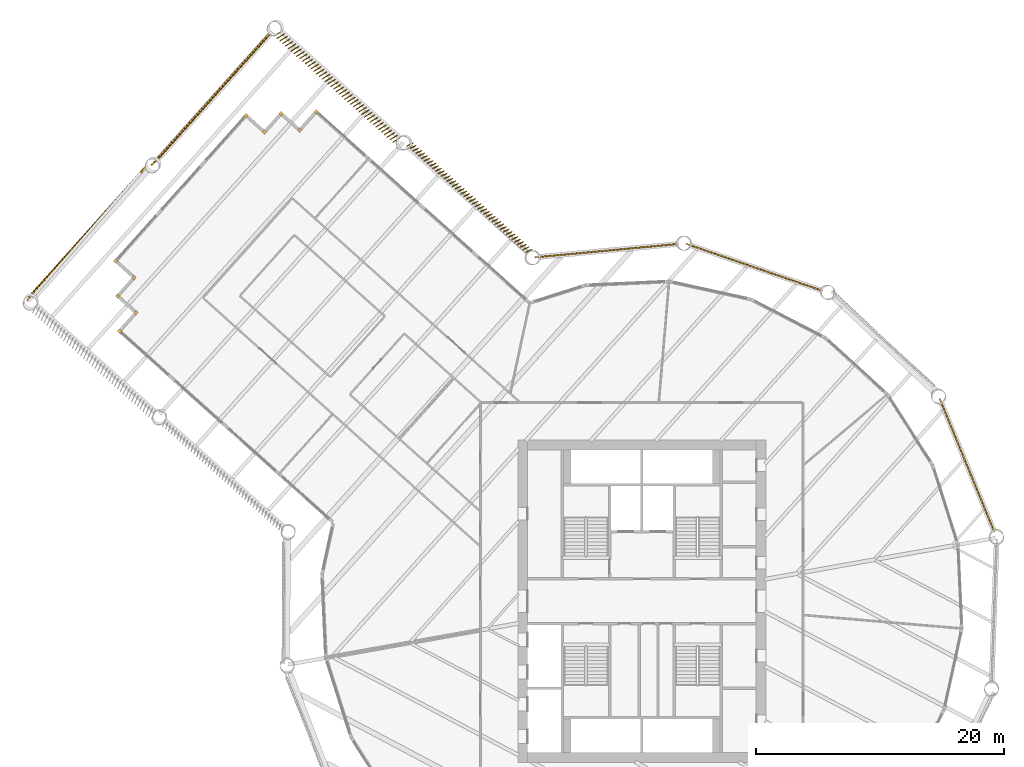
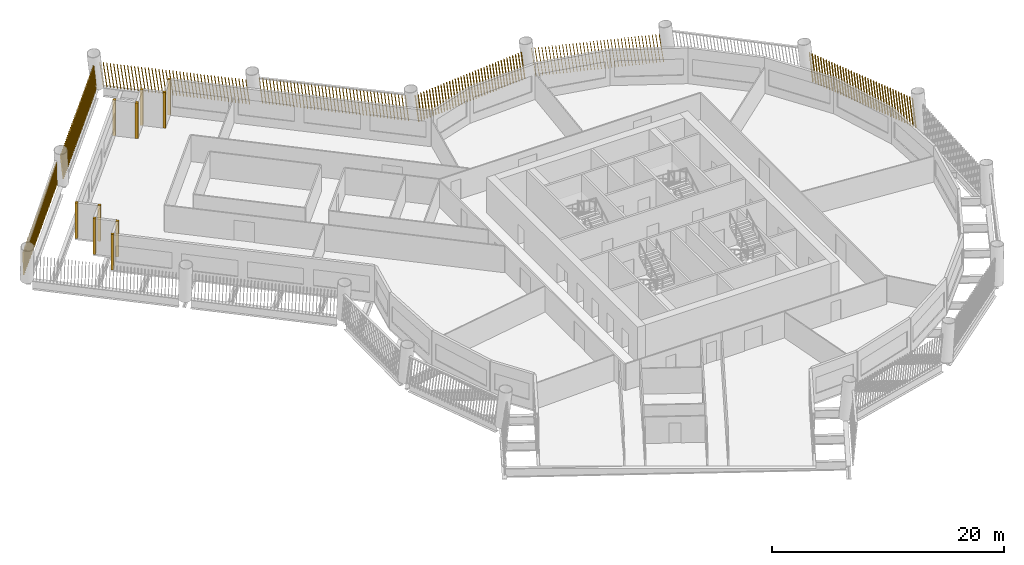
# One storey, part 14 of 16: 17 shading devices.
"""IFC4 building model written with IfcOpenShell, lengths in metres."""

import ifcopenshell
import ifcopenshell.guid

model = None  # the IFC model being written
_history = None  # IfcOwnerHistory: only IFC2X3 demands one
_inside = {}  # id of a spatial element -> (the spatial element, [elements in it])
_under = {}  # id of a project, library or spatial element -> (it, [spatial elements below it])
_declared = {}  # id of a project -> (the project, [libraries it declares])
_typed = {}  # id of a type object -> (the type object, [elements of that type])
_made_of = {}  # id of a material, layer set ... -> (it, [elements and type objects made of it])


def new_model(schema):
    """Start an empty IFC model of exactly this schema.

    Asked for "IFC4X3", IfcOpenShell would pick the latest addendum, in which some entities
    have other attributes; the version numbers below select the first issue.
    IFC2X3 requires an IfcOwnerHistory on every rooted entity: one is made here for all.
    """
    global model, _history
    if schema == "IFC4X3":
        model = ifcopenshell.file(schema_version=(4, 3, 0, 0))
    else:
        model = ifcopenshell.file(schema=schema)
    _inside.clear()
    _under.clear()
    _declared.clear()
    _typed.clear()
    _made_of.clear()
    _history = None
    if model.schema == "IFC2X3":
        org = make("IfcOrganization", Name="unknown")
        user = make(
            "IfcPersonAndOrganization",
            ThePerson=make("IfcPerson", FamilyName="unknown"),
            TheOrganization=org,
        )
        app = make(
            "IfcApplication",
            ApplicationDeveloper=org,
            Version="unknown",
            ApplicationFullName="unknown",
            ApplicationIdentifier="unknown",
        )
        _history = make(
            "IfcOwnerHistory",
            OwningUser=user,
            OwningApplication=app,
            ChangeAction="ADDED",
            CreationDate=0,
        )
    return model


def make(cls, **values):
    """One entity of the class cls with the attributes given. An attribute that is None is left unset."""
    return model.create_entity(
        cls, **{name: value for name, value in values.items() if value is not None}
    )


def rooted(cls, **values):
    """An entity with a GlobalId (a new one), such as an element, a storey or a relation."""
    return make(cls, GlobalId=ifcopenshell.guid.new(), OwnerHistory=_history, **values)


def si_unit(unit_type, name, prefix=None):
    """IfcSIUnit, for example si_unit("LENGTHUNIT", "METRE", prefix="MILLI")."""
    return make("IfcSIUnit", UnitType=unit_type, Prefix=prefix, Name=name)


def assignment(units):
    """IfcUnitAssignment: the units of a project."""
    return None if units is None else make("IfcUnitAssignment", Units=units)


def point(xyz):
    """IfcCartesianPoint."""
    return None if xyz is None else make("IfcCartesianPoint", Coordinates=xyz)


def direction(xyz):
    """IfcDirection."""
    return None if xyz is None else make("IfcDirection", DirectionRatios=xyz)


def frame(location, z_axis=None, x_axis=None):
    """IfcAxis2Placement3D, a coordinate frame: its origin and axes. An axis left out is left unset."""
    return make(
        "IfcAxis2Placement3D",
        Location=point(location),
        Axis=direction(z_axis),
        RefDirection=direction(x_axis),
    )


def frame_2d(location, x_axis=None):
    """IfcAxis2Placement2D, a coordinate frame in the plane: its origin and x axis."""
    return make(
        "IfcAxis2Placement2D", Location=point(location), RefDirection=direction(x_axis)
    )


def origin():
    """The frame at (0, 0, 0) with its axes left unset."""
    return frame((0.0, 0.0, 0.0))


def origin_2d():
    """The frame at (0, 0) in the plane with its x axis left unset."""
    return frame_2d((0.0, 0.0))


def place(relative_to, where):
    """IfcLocalPlacement: puts the frame where relative to a parent placement (None: the world)."""
    return make(
        "IfcLocalPlacement", PlacementRelTo=relative_to, RelativePlacement=where
    )


def context(
    kind, dimensions, precision=None, world=None, true_north=None, identifier=None
):
    """IfcGeometricRepresentationContext, for example the 3D "Model" context."""
    return make(
        "IfcGeometricRepresentationContext",
        ContextIdentifier=identifier,
        ContextType=kind,
        CoordinateSpaceDimension=dimensions,
        Precision=precision,
        WorldCoordinateSystem=world,
        TrueNorth=true_north,
    )


def subcontext(parent, identifier, kind, view, scale=None):
    """IfcGeometricRepresentationSubContext, for example "Body" below "Model"."""
    return make(
        "IfcGeometricRepresentationSubContext",
        ContextIdentifier=identifier,
        ContextType=kind,
        ParentContext=parent,
        TargetScale=scale,
        TargetView=view,
    )


def project(units=None, contexts=None):
    """IfcProject with its units and contexts."""
    return rooted(
        "IfcProject",
        Name="project",
        RepresentationContexts=contexts,
        UnitsInContext=assignment(units),
    )


def spatial(cls, under=None, at=None, **own):
    """A site, building, storey or space (cls), placed at a placement, below another one or the project."""
    s = rooted(cls, ObjectPlacement=at, **own)
    if under is not None:
        _under.setdefault(under.id(), (under, []))[1].append(s)
    return s


def profile(cls, at=None, kind="AREA", **sizes):
    """A parametric profile (cls). Its sizes go by their IFC names, for example OverallWidth=200.0."""
    return make(cls, ProfileType=kind, Position=at, **sizes)


def rectangle(**sizes):
    """IfcRectangleProfileDef."""
    return profile("IfcRectangleProfileDef", **sizes)


def composite_profile(profiles, kind="AREA"):
    """IfcCompositeProfileDef: several profiles as one."""
    return make("IfcCompositeProfileDef", ProfileType=kind, Profiles=profiles)


def extrude(swept, where, along, depth):
    """IfcExtrudedAreaSolid: the profile swept, set in the frame where, extruded along a direction by depth."""
    return make(
        "IfcExtrudedAreaSolid",
        SweptArea=swept,
        Position=where,
        ExtrudedDirection=direction(along),
        Depth=depth,
    )


def shape(context_of_items, identifier, shape_type, items):
    """IfcShapeRepresentation: the items that make up one representation, for example the "Body"."""
    return make(
        "IfcShapeRepresentation",
        ContextOfItems=context_of_items,
        RepresentationIdentifier=identifier,
        RepresentationType=shape_type,
        Items=items,
    )


def material(Name=None, Category=None):
    """IfcMaterial."""
    return make("IfcMaterial", Name=Name, Category=Category)


def made_of(thing, what):
    """Note that an element or type object is made of a material, layer set ...; save() writes the relation."""
    if what is not None:
        _made_of.setdefault(what.id(), (what, []))[1].append(thing)
    return thing


def type_object(cls, material=None, **own):
    """A type object (cls), such as IfcWallType, which elements share."""
    return made_of(rooted(cls, **own), material)


def element(
    cls,
    number,
    at=None,
    inside=None,
    cuts=None,
    type_object=None,
    material=None,
    context=None,
    identifier="Body",
    shape_type=None,
    held_by="IfcProductDefinitionShape",
    body=None,
    shapes=None,
    **own,
):
    """One element of the class cls, such as IfcWall. Its Tag is "e" and its number.

    at: its placement. inside: the storey or other place that contains it. cuts: it is an
    opening in that element (IfcRelVoidsElement). A single representation is given by context,
    identifier, shape_type and body (its items); several are given by shapes. held_by: the class
    of the entity that holds the representations. save() writes the other relations.
    """
    e = rooted(cls, Tag="e%d" % number, ObjectPlacement=at, **own)
    if body is not None:
        shapes = [shape(context, identifier, shape_type, body)]
    if shapes is not None:
        e.Representation = make(held_by, Representations=shapes)
    if inside is not None:
        _inside.setdefault(inside.id(), (inside, []))[1].append(e)
    if cuts is not None:
        rooted(
            "IfcRelVoidsElement", RelatingBuildingElement=cuts, RelatedOpeningElement=e
        )
    if type_object is not None:
        _typed.setdefault(type_object.id(), (type_object, []))[1].append(e)
    return made_of(e, material)


def aggregate(whole, parts):
    """IfcRelAggregates: a whole, such as a stair, and the parts it consists of."""
    return rooted("IfcRelAggregates", RelatingObject=whole, RelatedObjects=parts)


def save(model, path):
    """Write the relations noted so far, then the file.

    IfcRelAggregates (storeys below a building ...), IfcRelContainedInSpatialStructure (elements
    in a storey), IfcRelDefinesByType, IfcRelAssociatesMaterial and IfcRelDeclares: one each for
    every whole, place, type object, material and project.
    """
    for whole, parts in _under.values():
        aggregate(whole, parts)
    for where, things in _inside.values():
        rooted(
            "IfcRelContainedInSpatialStructure",
            RelatedElements=things,
            RelatingStructure=where,
        )
    for kind, things in _typed.values():
        rooted("IfcRelDefinesByType", RelatedObjects=things, RelatingType=kind)
    for what, things in _made_of.values():
        rooted("IfcRelAssociatesMaterial", RelatedObjects=things, RelatingMaterial=what)
    for by, libraries in _declared.values():
        rooted("IfcRelDeclares", RelatingContext=by, RelatedDefinitions=libraries)
    model.write(path)


model = new_model("IFC4")

# Units and contexts
model_context = context("Model", 3, precision=1e-05, world=origin(), true_north=direction((0.0, 1.0)))
body_context = subcontext(model_context, "Body", "Model", "MODEL_VIEW")
ifc_project = project(units=[si_unit("LENGTHUNIT", "METRE"), si_unit("AREAUNIT", "SQUARE_METRE"), si_unit("VOLUMEUNIT", "CUBIC_METRE"), si_unit("PLANEANGLEUNIT", "RADIAN"), si_unit("MASSUNIT", "GRAM", prefix="KILO")], contexts=[model_context])

# Site, building, storey
site_placement = place(None, origin())
site = spatial("IfcSite", under=ifc_project, at=site_placement, CompositionType="ELEMENT")
building_placement = place(site_placement, origin())
building = spatial("IfcBuilding", under=site, at=building_placement, Name="Tarsis Ring Headquarters", CompositionType="ELEMENT")
storey_placement = place(building_placement, frame((0.0, 0.0, 96.699951171875)))
storey = spatial("IfcBuildingStorey", under=building, at=storey_placement, Name="L21", CompositionType="ELEMENT", Elevation=96.699951171875)

# Shading devices
ifc_material = material(Name="Terracotta baguette", Category="masonry")
shading_device_type_1 = type_object("IfcShadingDeviceType", Name="Terracotta baguette screen", PredefinedType="USERDEFINED", material=ifc_material)
shading_device_1_placement = place(storey_placement, frame((28.405029296875, 5.57666015625, 0.0), z_axis=(0.0, 0.0, 1.0), x_axis=(-0.379641888226, 0.925143787303, 0.0)))
element("IfcShadingDevice", 1, at=shading_device_1_placement, inside=storey, type_object=shading_device_type_1, Name="Baguette screen L21-11", ObjectType="Terracotta baguette screen", PredefinedType="USERDEFINED", context=body_context, shape_type="SweptSolid", body=[
    extrude(composite_profile([rectangle(XDim=0.06005859375, YDim=0.1201171875, at=frame_2d((0.030029296875, 0.0))), rectangle(XDim=0.06005859375, YDim=0.1201171875, at=frame_2d((0.33251953125, 0.0))), rectangle(XDim=0.06005859375, YDim=0.1201171875, at=frame_2d((0.634765625, 0.0))), rectangle(XDim=0.06005859375, YDim=0.1201171875, at=frame_2d((0.937255859375, 0.0))), rectangle(XDim=0.06005859375, YDim=0.1201171875, at=frame_2d((1.239501953125, 0.0))), rectangle(XDim=0.06005859375, YDim=0.1201171875, at=frame_2d((1.5419921875, 0.0))), rectangle(XDim=0.06005859375, YDim=0.1201171875, at=frame_2d((1.844482421875, 0.0))), rectangle(XDim=0.06005859375, YDim=0.1201171875, at=frame_2d((2.146728515625, 0.0))), rectangle(XDim=0.06005859375, YDim=0.1201171875, at=frame_2d((2.44921875, 0.0))), rectangle(XDim=0.06005859375, YDim=0.1201171875, at=frame_2d((2.751708984375, 0.0))), rectangle(XDim=0.06005859375, YDim=0.1201171875, at=frame_2d((3.053955078125, 0.0))), rectangle(XDim=0.06005859375, YDim=0.1201171875, at=frame_2d((3.3564453125, 0.0))), rectangle(XDim=0.06005859375, YDim=0.1201171875, at=frame_2d((3.65869140625, 0.0))), rectangle(XDim=0.06005859375, YDim=0.1201171875, at=frame_2d((3.961181640625, 0.0))), rectangle(XDim=0.06005859375, YDim=0.1201171875, at=frame_2d((4.263671875, 0.0))), rectangle(XDim=0.06005859375, YDim=0.1201171875, at=frame_2d((4.56591796875, 0.0))), rectangle(XDim=0.06005859375, YDim=0.1201171875, at=frame_2d((4.868408203125, 0.0))), rectangle(XDim=0.06005859375, YDim=0.1201171875, at=frame_2d((5.1708984375, 0.0))), rectangle(XDim=0.06005859375, YDim=0.1201171875, at=frame_2d((5.47314453125, 0.0))), rectangle(XDim=0.06005859375, YDim=0.1201171875, at=frame_2d((5.775634765625, 0.0))), rectangle(XDim=0.06005859375, YDim=0.1201171875, at=frame_2d((6.077880859375, 0.0))), rectangle(XDim=0.06005859375, YDim=0.1201171875, at=frame_2d((6.38037109375, 0.0))), rectangle(XDim=0.06005859375, YDim=0.1201171875, at=frame_2d((6.682861328125, 0.0))), rectangle(XDim=0.06005859375, YDim=0.1201171875, at=frame_2d((6.985107421875, 0.0))), rectangle(XDim=0.06005859375, YDim=0.1201171875, at=frame_2d((7.28759765625, 0.0))), rectangle(XDim=0.06005859375, YDim=0.1201171875, at=frame_2d((7.590087890625, 0.0))), rectangle(XDim=0.06005859375, YDim=0.1201171875, at=frame_2d((7.892333984375, 0.0))), rectangle(XDim=0.06005859375, YDim=0.1201171875, at=frame_2d((8.19482421875, 0.0))), rectangle(XDim=0.06005859375, YDim=0.1201171875, at=frame_2d((8.4970703125, 0.0))), rectangle(XDim=0.06005859375, YDim=0.1201171875, at=frame_2d((8.799560546875, 0.0))), rectangle(XDim=0.06005859375, YDim=0.1201171875, at=frame_2d((9.10205078125, 0.0))), rectangle(XDim=0.06005859375, YDim=0.1201171875, at=frame_2d((9.404296875, 0.0))), rectangle(XDim=0.06005859375, YDim=0.1201171875, at=frame_2d((9.706787109375, 0.0))), rectangle(XDim=0.06005859375, YDim=0.1201171875, at=frame_2d((10.00927734375, 0.0))), rectangle(XDim=0.06005859375, YDim=0.1201171875, at=frame_2d((10.3115234375, 0.0))), rectangle(XDim=0.06005859375, YDim=0.1201171875, at=frame_2d((10.614013671875, 0.0))), rectangle(XDim=0.06005859375, YDim=0.1201171875, at=frame_2d((10.916259765625, 0.0))), rectangle(XDim=0.06005859375, YDim=0.1201171875, at=frame_2d((11.21875, 0.0)))]), origin(), (0.129811034095, 0.000883540977, 0.991538357696), 2.977783203125),
])
shading_device_2_placement = place(storey_placement, frame((14.564208984375, 25.016357421875, 0.0), z_axis=(0.0, 0.0, 1.0), x_axis=(-0.945501899078, 0.325642973413, 0.0)))
element("IfcShadingDevice", 2, at=shading_device_2_placement, inside=storey, type_object=shading_device_type_1, Name="Baguette screen L21-13", ObjectType="Terracotta baguette screen", PredefinedType="USERDEFINED", context=body_context, shape_type="SweptSolid", body=[
    extrude(composite_profile([rectangle(XDim=0.06005859375, YDim=0.1201171875, at=frame_2d((0.030029296875, 0.0))), rectangle(XDim=0.06005859375, YDim=0.1201171875, at=frame_2d((0.33251953125, 0.0))), rectangle(XDim=0.06005859375, YDim=0.1201171875, at=frame_2d((0.634765625, 0.0))), rectangle(XDim=0.06005859375, YDim=0.1201171875, at=frame_2d((0.937255859375, 0.0))), rectangle(XDim=0.06005859375, YDim=0.1201171875, at=frame_2d((1.239501953125, 0.0))), rectangle(XDim=0.06005859375, YDim=0.1201171875, at=frame_2d((1.5419921875, 0.0))), rectangle(XDim=0.06005859375, YDim=0.1201171875, at=frame_2d((1.844482421875, 0.0))), rectangle(XDim=0.06005859375, YDim=0.1201171875, at=frame_2d((2.146728515625, 0.0))), rectangle(XDim=0.06005859375, YDim=0.1201171875, at=frame_2d((2.44921875, 0.0))), rectangle(XDim=0.06005859375, YDim=0.1201171875, at=frame_2d((2.751708984375, 0.0))), rectangle(XDim=0.06005859375, YDim=0.1201171875, at=frame_2d((3.053955078125, 0.0))), rectangle(XDim=0.06005859375, YDim=0.1201171875, at=frame_2d((3.3564453125, 0.0))), rectangle(XDim=0.06005859375, YDim=0.1201171875, at=frame_2d((3.65869140625, 0.0))), rectangle(XDim=0.06005859375, YDim=0.1201171875, at=frame_2d((3.961181640625, 0.0))), rectangle(XDim=0.06005859375, YDim=0.1201171875, at=frame_2d((4.263671875, 0.0))), rectangle(XDim=0.06005859375, YDim=0.1201171875, at=frame_2d((4.56591796875, 0.0))), rectangle(XDim=0.06005859375, YDim=0.1201171875, at=frame_2d((4.868408203125, 0.0))), rectangle(XDim=0.06005859375, YDim=0.1201171875, at=frame_2d((5.1708984375, 0.0))), rectangle(XDim=0.06005859375, YDim=0.1201171875, at=frame_2d((5.47314453125, 0.0))), rectangle(XDim=0.06005859375, YDim=0.1201171875, at=frame_2d((5.775634765625, 0.0))), rectangle(XDim=0.06005859375, YDim=0.1201171875, at=frame_2d((6.077880859375, 0.0))), rectangle(XDim=0.06005859375, YDim=0.1201171875, at=frame_2d((6.38037109375, 0.0))), rectangle(XDim=0.06005859375, YDim=0.1201171875, at=frame_2d((6.682861328125, 0.0))), rectangle(XDim=0.06005859375, YDim=0.1201171875, at=frame_2d((6.985107421875, 0.0))), rectangle(XDim=0.06005859375, YDim=0.1201171875, at=frame_2d((7.28759765625, 0.0))), rectangle(XDim=0.06005859375, YDim=0.1201171875, at=frame_2d((7.590087890625, 0.0))), rectangle(XDim=0.06005859375, YDim=0.1201171875, at=frame_2d((7.892333984375, 0.0))), rectangle(XDim=0.06005859375, YDim=0.1201171875, at=frame_2d((8.19482421875, 0.0))), rectangle(XDim=0.06005859375, YDim=0.1201171875, at=frame_2d((8.4970703125, 0.0))), rectangle(XDim=0.06005859375, YDim=0.1201171875, at=frame_2d((8.799560546875, 0.0))), rectangle(XDim=0.06005859375, YDim=0.1201171875, at=frame_2d((9.10205078125, 0.0))), rectangle(XDim=0.06005859375, YDim=0.1201171875, at=frame_2d((9.404296875, 0.0))), rectangle(XDim=0.06005859375, YDim=0.1201171875, at=frame_2d((9.706787109375, 0.0))), rectangle(XDim=0.06005859375, YDim=0.1201171875, at=frame_2d((10.00927734375, 0.0))), rectangle(XDim=0.06005859375, YDim=0.1201171875, at=frame_2d((10.3115234375, 0.0))), rectangle(XDim=0.06005859375, YDim=0.1201171875, at=frame_2d((10.614013671875, 0.0))), rectangle(XDim=0.06005859375, YDim=0.1201171875, at=frame_2d((10.916259765625, 0.0))), rectangle(XDim=0.06005859375, YDim=0.1201171875, at=frame_2d((11.21875, 0.0)))]), origin(), (0.129810983559, 0.000885079774, 0.99153836294), 2.977783203125),
])
shading_device_3_placement = place(storey_placement, frame((2.9580078125, 28.795654296875, 0.0), z_axis=(0.0, 0.0, 1.0), x_axis=(-0.995659251221, -0.093043950081, 0.0)))
element("IfcShadingDevice", 3, at=shading_device_3_placement, inside=storey, type_object=shading_device_type_1, Name="Baguette screen L21-14", ObjectType="Terracotta baguette screen", PredefinedType="USERDEFINED", context=body_context, shape_type="SweptSolid", body=[
    extrude(composite_profile([rectangle(XDim=0.06005859375, YDim=0.1201171875, at=frame_2d((0.030029296875, 0.0))), rectangle(XDim=0.06005859375, YDim=0.1201171875, at=frame_2d((0.33251953125, 0.0))), rectangle(XDim=0.06005859375, YDim=0.1201171875, at=frame_2d((0.634765625, 0.0))), rectangle(XDim=0.06005859375, YDim=0.1201171875, at=frame_2d((0.937255859375, 0.0))), rectangle(XDim=0.06005859375, YDim=0.1201171875, at=frame_2d((1.239501953125, 0.0))), rectangle(XDim=0.06005859375, YDim=0.1201171875, at=frame_2d((1.5419921875, 0.0))), rectangle(XDim=0.06005859375, YDim=0.1201171875, at=frame_2d((1.844482421875, 0.0))), rectangle(XDim=0.06005859375, YDim=0.1201171875, at=frame_2d((2.146728515625, 0.0))), rectangle(XDim=0.06005859375, YDim=0.1201171875, at=frame_2d((2.44921875, 0.0))), rectangle(XDim=0.06005859375, YDim=0.1201171875, at=frame_2d((2.751708984375, 0.0))), rectangle(XDim=0.06005859375, YDim=0.1201171875, at=frame_2d((3.053955078125, 0.0))), rectangle(XDim=0.06005859375, YDim=0.1201171875, at=frame_2d((3.3564453125, 0.0))), rectangle(XDim=0.06005859375, YDim=0.1201171875, at=frame_2d((3.65869140625, 0.0))), rectangle(XDim=0.06005859375, YDim=0.1201171875, at=frame_2d((3.961181640625, 0.0))), rectangle(XDim=0.06005859375, YDim=0.1201171875, at=frame_2d((4.263671875, 0.0))), rectangle(XDim=0.06005859375, YDim=0.1201171875, at=frame_2d((4.56591796875, 0.0))), rectangle(XDim=0.06005859375, YDim=0.1201171875, at=frame_2d((4.868408203125, 0.0))), rectangle(XDim=0.06005859375, YDim=0.1201171875, at=frame_2d((5.1708984375, 0.0))), rectangle(XDim=0.06005859375, YDim=0.1201171875, at=frame_2d((5.47314453125, 0.0))), rectangle(XDim=0.06005859375, YDim=0.1201171875, at=frame_2d((5.775634765625, 0.0))), rectangle(XDim=0.06005859375, YDim=0.1201171875, at=frame_2d((6.077880859375, 0.0))), rectangle(XDim=0.06005859375, YDim=0.1201171875, at=frame_2d((6.38037109375, 0.0))), rectangle(XDim=0.06005859375, YDim=0.1201171875, at=frame_2d((6.682861328125, 0.0))), rectangle(XDim=0.06005859375, YDim=0.1201171875, at=frame_2d((6.985107421875, 0.0))), rectangle(XDim=0.06005859375, YDim=0.1201171875, at=frame_2d((7.28759765625, 0.0))), rectangle(XDim=0.06005859375, YDim=0.1201171875, at=frame_2d((7.590087890625, 0.0))), rectangle(XDim=0.06005859375, YDim=0.1201171875, at=frame_2d((7.892333984375, 0.0))), rectangle(XDim=0.06005859375, YDim=0.1201171875, at=frame_2d((8.19482421875, 0.0))), rectangle(XDim=0.06005859375, YDim=0.1201171875, at=frame_2d((8.4970703125, 0.0))), rectangle(XDim=0.06005859375, YDim=0.1201171875, at=frame_2d((8.799560546875, 0.0))), rectangle(XDim=0.06005859375, YDim=0.1201171875, at=frame_2d((9.10205078125, 0.0))), rectangle(XDim=0.06005859375, YDim=0.1201171875, at=frame_2d((9.404296875, 0.0))), rectangle(XDim=0.06005859375, YDim=0.1201171875, at=frame_2d((9.706787109375, 0.0))), rectangle(XDim=0.06005859375, YDim=0.1201171875, at=frame_2d((10.00927734375, 0.0))), rectangle(XDim=0.06005859375, YDim=0.1201171875, at=frame_2d((10.3115234375, 0.0))), rectangle(XDim=0.06005859375, YDim=0.1201171875, at=frame_2d((10.614013671875, 0.0))), rectangle(XDim=0.06005859375, YDim=0.1201171875, at=frame_2d((10.916259765625, 0.0))), rectangle(XDim=0.06005859375, YDim=0.1201171875, at=frame_2d((11.21875, 0.0)))]), origin(), (0.129809675606, 0.000883501465, 0.991538535582), 2.977783203125),
])
shading_device_4_placement = place(storey_placement, frame((-8.862060546875, 28.3154296875, 0.0), z_axis=(0.0, 0.0, 1.0), x_axis=(-0.744777475023, 0.667310021193, 0.0)))
element("IfcShadingDevice", 4, at=shading_device_4_placement, inside=storey, type_object=shading_device_type_1, Name="Baguette screen L21-15", ObjectType="Terracotta baguette screen", PredefinedType="USERDEFINED", context=body_context, shape_type="SweptSolid", body=[
    extrude(composite_profile([rectangle(XDim=0.06005859375, YDim=0.1201171875, at=frame_2d((0.030029296875, 0.0))), rectangle(XDim=0.06005859375, YDim=0.1201171875, at=frame_2d((0.335693359375, 0.0))), rectangle(XDim=0.06005859375, YDim=0.1201171875, at=frame_2d((0.6416015625, 0.0))), rectangle(XDim=0.06005859375, YDim=0.1201171875, at=frame_2d((0.947265625, 0.0))), rectangle(XDim=0.06005859375, YDim=0.1201171875, at=frame_2d((1.253173828125, 0.0))), rectangle(XDim=0.06005859375, YDim=0.1201171875, at=frame_2d((1.558837890625, 0.0))), rectangle(XDim=0.06005859375, YDim=0.1201171875, at=frame_2d((1.864501953125, 0.0))), rectangle(XDim=0.06005859375, YDim=0.1201171875, at=frame_2d((2.17041015625, 0.0))), rectangle(XDim=0.06005859375, YDim=0.1201171875, at=frame_2d((2.47607421875, 0.0))), rectangle(XDim=0.06005859375, YDim=0.1201171875, at=frame_2d((2.781982421875, 0.0))), rectangle(XDim=0.06005859375, YDim=0.1201171875, at=frame_2d((3.087646484375, 0.0))), rectangle(XDim=0.06005859375, YDim=0.1201171875, at=frame_2d((3.393310546875, 0.0))), rectangle(XDim=0.06005859375, YDim=0.1201171875, at=frame_2d((3.69921875, 0.0))), rectangle(XDim=0.06005859375, YDim=0.1201171875, at=frame_2d((4.0048828125, 0.0))), rectangle(XDim=0.06005859375, YDim=0.1201171875, at=frame_2d((4.310791015625, 0.0))), rectangle(XDim=0.06005859375, YDim=0.1201171875, at=frame_2d((4.616455078125, 0.0))), rectangle(XDim=0.06005859375, YDim=0.1201171875, at=frame_2d((4.922119140625, 0.0))), rectangle(XDim=0.06005859375, YDim=0.1201171875, at=frame_2d((5.22802734375, 0.0))), rectangle(XDim=0.06005859375, YDim=0.1201171875, at=frame_2d((5.53369140625, 0.0))), rectangle(XDim=0.06005859375, YDim=0.1201171875, at=frame_2d((5.839599609375, 0.0))), rectangle(XDim=0.06005859375, YDim=0.1201171875, at=frame_2d((6.145263671875, 0.0))), rectangle(XDim=0.06005859375, YDim=0.1201171875, at=frame_2d((6.451171875, 0.0))), rectangle(XDim=0.06005859375, YDim=0.1201171875, at=frame_2d((6.7568359375, 0.0))), rectangle(XDim=0.06005859375, YDim=0.1201171875, at=frame_2d((7.0625, 0.0))), rectangle(XDim=0.06005859375, YDim=0.1201171875, at=frame_2d((7.368408203125, 0.0))), rectangle(XDim=0.06005859375, YDim=0.1201171875, at=frame_2d((7.674072265625, 0.0))), rectangle(XDim=0.06005859375, YDim=0.1201171875, at=frame_2d((7.97998046875, 0.0))), rectangle(XDim=0.06005859375, YDim=0.1201171875, at=frame_2d((8.28564453125, 0.0))), rectangle(XDim=0.06005859375, YDim=0.1201171875, at=frame_2d((8.59130859375, 0.0))), rectangle(XDim=0.06005859375, YDim=0.1201171875, at=frame_2d((8.897216796875, 0.0))), rectangle(XDim=0.06005859375, YDim=0.1201171875, at=frame_2d((9.202880859375, 0.0))), rectangle(XDim=0.06005859375, YDim=0.1201171875, at=frame_2d((9.5087890625, 0.0))), rectangle(XDim=0.06005859375, YDim=0.1201171875, at=frame_2d((9.814453125, 0.0))), rectangle(XDim=0.06005859375, YDim=0.1201171875, at=frame_2d((10.1201171875, 0.0))), rectangle(XDim=0.06005859375, YDim=0.1201171875, at=frame_2d((10.426025390625, 0.0))), rectangle(XDim=0.06005859375, YDim=0.1201171875, at=frame_2d((10.731689453125, 0.0))), rectangle(XDim=0.06005859375, YDim=0.1201171875, at=frame_2d((11.03759765625, 0.0))), rectangle(XDim=0.06005859375, YDim=0.1201171875, at=frame_2d((11.34326171875, 0.0))), rectangle(XDim=0.06005859375, YDim=0.1201171875, at=frame_2d((11.64892578125, 0.0))), rectangle(XDim=0.06005859375, YDim=0.1201171875, at=frame_2d((11.954833984375, 0.0))), rectangle(XDim=0.06005859375, YDim=0.1201171875, at=frame_2d((12.260498046875, 0.0))), rectangle(XDim=0.06005859375, YDim=0.1201171875, at=frame_2d((12.56640625, 0.0))), rectangle(XDim=0.06005859375, YDim=0.1201171875, at=frame_2d((12.8720703125, 0.0)))]), origin(), (0.068063052052, 0.145839706209, 0.986964133613), 2.99169921875),
])
shading_device_5_placement = place(storey_placement, frame((-19.46630859375, 37.313232421875, 0.0), z_axis=(0.0, 0.0, 1.0), x_axis=(-0.744777475023, 0.667310021193, 0.0)))
element("IfcShadingDevice", 5, at=shading_device_5_placement, inside=storey, type_object=shading_device_type_1, Name="Baguette screen L21-16", ObjectType="Terracotta baguette screen", PredefinedType="USERDEFINED", context=body_context, shape_type="SweptSolid", body=[
    extrude(composite_profile([rectangle(XDim=0.06005859375, YDim=0.1201171875, at=frame_2d((0.030029296875, 0.0))), rectangle(XDim=0.06005859375, YDim=0.1201171875, at=frame_2d((0.335693359375, 0.0))), rectangle(XDim=0.06005859375, YDim=0.1201171875, at=frame_2d((0.6416015625, 0.0))), rectangle(XDim=0.06005859375, YDim=0.1201171875, at=frame_2d((0.947265625, 0.0))), rectangle(XDim=0.06005859375, YDim=0.1201171875, at=frame_2d((1.253173828125, 0.0))), rectangle(XDim=0.06005859375, YDim=0.1201171875, at=frame_2d((1.558837890625, 0.0))), rectangle(XDim=0.06005859375, YDim=0.1201171875, at=frame_2d((1.864501953125, 0.0))), rectangle(XDim=0.06005859375, YDim=0.1201171875, at=frame_2d((2.17041015625, 0.0))), rectangle(XDim=0.06005859375, YDim=0.1201171875, at=frame_2d((2.47607421875, 0.0))), rectangle(XDim=0.06005859375, YDim=0.1201171875, at=frame_2d((2.781982421875, 0.0))), rectangle(XDim=0.06005859375, YDim=0.1201171875, at=frame_2d((3.087646484375, 0.0))), rectangle(XDim=0.06005859375, YDim=0.1201171875, at=frame_2d((3.393310546875, 0.0))), rectangle(XDim=0.06005859375, YDim=0.1201171875, at=frame_2d((3.69921875, 0.0))), rectangle(XDim=0.06005859375, YDim=0.1201171875, at=frame_2d((4.0048828125, 0.0))), rectangle(XDim=0.06005859375, YDim=0.1201171875, at=frame_2d((4.310791015625, 0.0))), rectangle(XDim=0.06005859375, YDim=0.1201171875, at=frame_2d((4.616455078125, 0.0))), rectangle(XDim=0.06005859375, YDim=0.1201171875, at=frame_2d((4.922119140625, 0.0))), rectangle(XDim=0.06005859375, YDim=0.1201171875, at=frame_2d((5.22802734375, 0.0))), rectangle(XDim=0.06005859375, YDim=0.1201171875, at=frame_2d((5.53369140625, 0.0))), rectangle(XDim=0.06005859375, YDim=0.1201171875, at=frame_2d((5.839599609375, 0.0))), rectangle(XDim=0.06005859375, YDim=0.1201171875, at=frame_2d((6.145263671875, 0.0))), rectangle(XDim=0.06005859375, YDim=0.1201171875, at=frame_2d((6.451171875, 0.0))), rectangle(XDim=0.06005859375, YDim=0.1201171875, at=frame_2d((6.7568359375, 0.0))), rectangle(XDim=0.06005859375, YDim=0.1201171875, at=frame_2d((7.0625, 0.0))), rectangle(XDim=0.06005859375, YDim=0.1201171875, at=frame_2d((7.368408203125, 0.0))), rectangle(XDim=0.06005859375, YDim=0.1201171875, at=frame_2d((7.674072265625, 0.0))), rectangle(XDim=0.06005859375, YDim=0.1201171875, at=frame_2d((7.97998046875, 0.0))), rectangle(XDim=0.06005859375, YDim=0.1201171875, at=frame_2d((8.28564453125, 0.0))), rectangle(XDim=0.06005859375, YDim=0.1201171875, at=frame_2d((8.59130859375, 0.0))), rectangle(XDim=0.06005859375, YDim=0.1201171875, at=frame_2d((8.897216796875, 0.0))), rectangle(XDim=0.06005859375, YDim=0.1201171875, at=frame_2d((9.202880859375, 0.0))), rectangle(XDim=0.06005859375, YDim=0.1201171875, at=frame_2d((9.5087890625, 0.0))), rectangle(XDim=0.06005859375, YDim=0.1201171875, at=frame_2d((9.814453125, 0.0))), rectangle(XDim=0.06005859375, YDim=0.1201171875, at=frame_2d((10.1201171875, 0.0))), rectangle(XDim=0.06005859375, YDim=0.1201171875, at=frame_2d((10.426025390625, 0.0))), rectangle(XDim=0.06005859375, YDim=0.1201171875, at=frame_2d((10.731689453125, 0.0))), rectangle(XDim=0.06005859375, YDim=0.1201171875, at=frame_2d((11.03759765625, 0.0))), rectangle(XDim=0.06005859375, YDim=0.1201171875, at=frame_2d((11.34326171875, 0.0))), rectangle(XDim=0.06005859375, YDim=0.1201171875, at=frame_2d((11.64892578125, 0.0))), rectangle(XDim=0.06005859375, YDim=0.1201171875, at=frame_2d((11.954833984375, 0.0))), rectangle(XDim=0.06005859375, YDim=0.1201171875, at=frame_2d((12.260498046875, 0.0))), rectangle(XDim=0.06005859375, YDim=0.1201171875, at=frame_2d((12.56640625, 0.0))), rectangle(XDim=0.06005859375, YDim=0.1201171875, at=frame_2d((12.8720703125, 0.0)))]), origin(), (0.065207666701, 0.206809749487, 0.976205760954), 3.024658203125),
])
shading_device_6_placement = place(storey_placement, frame((-29.78173828125, 45.884521484375, 0.0), z_axis=(0.0, 0.0, 1.0), x_axis=(-0.667315347192, -0.744785493145, 0.0)))
element("IfcShadingDevice", 6, at=shading_device_6_placement, inside=storey, type_object=shading_device_type_1, Name="Baguette screen L21-17", ObjectType="Terracotta baguette screen", PredefinedType="USERDEFINED", context=body_context, shape_type="SweptSolid", body=[
    extrude(composite_profile([rectangle(XDim=0.06005859375, YDim=0.1201171875, at=frame_2d((0.030029296875, 0.0))), rectangle(XDim=0.06005859375, YDim=0.1201171875, at=frame_2d((0.33544921875, 0.0))), rectangle(XDim=0.06005859375, YDim=0.1201171875, at=frame_2d((0.640625, 0.0))), rectangle(XDim=0.06005859375, YDim=0.1201171875, at=frame_2d((0.946044921875, 0.0))), rectangle(XDim=0.06005859375, YDim=0.1201171875, at=frame_2d((1.25146484375, 0.0))), rectangle(XDim=0.06005859375, YDim=0.1201171875, at=frame_2d((1.556640625, 0.0))), rectangle(XDim=0.06005859375, YDim=0.1201171875, at=frame_2d((1.862060546875, 0.0))), rectangle(XDim=0.06005859375, YDim=0.1201171875, at=frame_2d((2.16748046875, 0.0))), rectangle(XDim=0.06005859375, YDim=0.1201171875, at=frame_2d((2.47265625, 0.0))), rectangle(XDim=0.06005859375, YDim=0.1201171875, at=frame_2d((2.778076171875, 0.0))), rectangle(XDim=0.06005859375, YDim=0.1201171875, at=frame_2d((3.08349609375, 0.0))), rectangle(XDim=0.06005859375, YDim=0.1201171875, at=frame_2d((3.388671875, 0.0))), rectangle(XDim=0.06005859375, YDim=0.1201171875, at=frame_2d((3.694091796875, 0.0))), rectangle(XDim=0.06005859375, YDim=0.1201171875, at=frame_2d((3.99951171875, 0.0))), rectangle(XDim=0.06005859375, YDim=0.1201171875, at=frame_2d((4.3046875, 0.0))), rectangle(XDim=0.06005859375, YDim=0.1201171875, at=frame_2d((4.610107421875, 0.0))), rectangle(XDim=0.06005859375, YDim=0.1201171875, at=frame_2d((4.91552734375, 0.0))), rectangle(XDim=0.06005859375, YDim=0.1201171875, at=frame_2d((5.220703125, 0.0))), rectangle(XDim=0.06005859375, YDim=0.1201171875, at=frame_2d((5.526123046875, 0.0))), rectangle(XDim=0.06005859375, YDim=0.1201171875, at=frame_2d((5.83154296875, 0.0))), rectangle(XDim=0.06005859375, YDim=0.1201171875, at=frame_2d((6.13671875, 0.0))), rectangle(XDim=0.06005859375, YDim=0.1201171875, at=frame_2d((6.442138671875, 0.0))), rectangle(XDim=0.06005859375, YDim=0.1201171875, at=frame_2d((6.74755859375, 0.0))), rectangle(XDim=0.06005859375, YDim=0.1201171875, at=frame_2d((7.052734375, 0.0))), rectangle(XDim=0.06005859375, YDim=0.1201171875, at=frame_2d((7.358154296875, 0.0))), rectangle(XDim=0.06005859375, YDim=0.1201171875, at=frame_2d((7.66357421875, 0.0))), rectangle(XDim=0.06005859375, YDim=0.1201171875, at=frame_2d((7.96875, 0.0))), rectangle(XDim=0.06005859375, YDim=0.1201171875, at=frame_2d((8.274169921875, 0.0))), rectangle(XDim=0.06005859375, YDim=0.1201171875, at=frame_2d((8.57958984375, 0.0))), rectangle(XDim=0.06005859375, YDim=0.1201171875, at=frame_2d((8.884765625, 0.0))), rectangle(XDim=0.06005859375, YDim=0.1201171875, at=frame_2d((9.190185546875, 0.0))), rectangle(XDim=0.06005859375, YDim=0.1201171875, at=frame_2d((9.49560546875, 0.0))), rectangle(XDim=0.06005859375, YDim=0.1201171875, at=frame_2d((9.80078125, 0.0))), rectangle(XDim=0.06005859375, YDim=0.1201171875, at=frame_2d((10.106201171875, 0.0))), rectangle(XDim=0.06005859375, YDim=0.1201171875, at=frame_2d((10.41162109375, 0.0))), rectangle(XDim=0.06005859375, YDim=0.1201171875, at=frame_2d((10.716796875, 0.0))), rectangle(XDim=0.06005859375, YDim=0.1201171875, at=frame_2d((11.022216796875, 0.0))), rectangle(XDim=0.06005859375, YDim=0.1201171875, at=frame_2d((11.32763671875, 0.0))), rectangle(XDim=0.06005859375, YDim=0.1201171875, at=frame_2d((11.6328125, 0.0))), rectangle(XDim=0.06005859375, YDim=0.1201171875, at=frame_2d((11.938232421875, 0.0))), rectangle(XDim=0.06005859375, YDim=0.1201171875, at=frame_2d((12.24365234375, 0.0))), rectangle(XDim=0.06005859375, YDim=0.1201171875, at=frame_2d((12.548828125, 0.0))), rectangle(XDim=0.06005859375, YDim=0.1201171875, at=frame_2d((12.854248046875, 0.0))), rectangle(XDim=0.06005859375, YDim=0.1201171875, at=frame_2d((13.15966796875, 0.0))), rectangle(XDim=0.06005859375, YDim=0.1201171875, at=frame_2d((13.46484375, 0.0))), rectangle(XDim=0.06005859375, YDim=0.1201171875, at=frame_2d((13.770263671875, 0.0)))]), origin(), (0.236624371987, -0.03152318572, 0.971089694799), 3.04052734375),
])
shading_device_7_placement = place(storey_placement, frame((-39.937255859375, 35.112060546875, 0.0), z_axis=(0.0, 0.0, 1.0), x_axis=(-0.667315347192, -0.744785493145, 0.0)))
element("IfcShadingDevice", 7, at=shading_device_7_placement, inside=storey, type_object=shading_device_type_1, Name="Baguette screen L21-18", ObjectType="Terracotta baguette screen", PredefinedType="USERDEFINED", context=body_context, shape_type="SweptSolid", body=[
    extrude(composite_profile([rectangle(XDim=0.06005859375, YDim=0.1201171875, at=frame_2d((0.030029296875, 0.0))), rectangle(XDim=0.06005859375, YDim=0.1201171875, at=frame_2d((0.33544921875, 0.0))), rectangle(XDim=0.06005859375, YDim=0.1201171875, at=frame_2d((0.640625, 0.0))), rectangle(XDim=0.06005859375, YDim=0.1201171875, at=frame_2d((0.946044921875, 0.0))), rectangle(XDim=0.06005859375, YDim=0.1201171875, at=frame_2d((1.25146484375, 0.0))), rectangle(XDim=0.06005859375, YDim=0.1201171875, at=frame_2d((1.556640625, 0.0))), rectangle(XDim=0.06005859375, YDim=0.1201171875, at=frame_2d((1.862060546875, 0.0))), rectangle(XDim=0.06005859375, YDim=0.1201171875, at=frame_2d((2.16748046875, 0.0))), rectangle(XDim=0.06005859375, YDim=0.1201171875, at=frame_2d((2.47265625, 0.0))), rectangle(XDim=0.06005859375, YDim=0.1201171875, at=frame_2d((2.778076171875, 0.0))), rectangle(XDim=0.06005859375, YDim=0.1201171875, at=frame_2d((3.08349609375, 0.0))), rectangle(XDim=0.06005859375, YDim=0.1201171875, at=frame_2d((3.388671875, 0.0))), rectangle(XDim=0.06005859375, YDim=0.1201171875, at=frame_2d((3.694091796875, 0.0))), rectangle(XDim=0.06005859375, YDim=0.1201171875, at=frame_2d((3.99951171875, 0.0))), rectangle(XDim=0.06005859375, YDim=0.1201171875, at=frame_2d((4.3046875, 0.0))), rectangle(XDim=0.06005859375, YDim=0.1201171875, at=frame_2d((4.610107421875, 0.0))), rectangle(XDim=0.06005859375, YDim=0.1201171875, at=frame_2d((4.91552734375, 0.0))), rectangle(XDim=0.06005859375, YDim=0.1201171875, at=frame_2d((5.220703125, 0.0))), rectangle(XDim=0.06005859375, YDim=0.1201171875, at=frame_2d((5.526123046875, 0.0))), rectangle(XDim=0.06005859375, YDim=0.1201171875, at=frame_2d((5.83154296875, 0.0))), rectangle(XDim=0.06005859375, YDim=0.1201171875, at=frame_2d((6.13671875, 0.0))), rectangle(XDim=0.06005859375, YDim=0.1201171875, at=frame_2d((6.442138671875, 0.0))), rectangle(XDim=0.06005859375, YDim=0.1201171875, at=frame_2d((6.74755859375, 0.0))), rectangle(XDim=0.06005859375, YDim=0.1201171875, at=frame_2d((7.052734375, 0.0))), rectangle(XDim=0.06005859375, YDim=0.1201171875, at=frame_2d((7.358154296875, 0.0))), rectangle(XDim=0.06005859375, YDim=0.1201171875, at=frame_2d((7.66357421875, 0.0))), rectangle(XDim=0.06005859375, YDim=0.1201171875, at=frame_2d((7.96875, 0.0))), rectangle(XDim=0.06005859375, YDim=0.1201171875, at=frame_2d((8.274169921875, 0.0))), rectangle(XDim=0.06005859375, YDim=0.1201171875, at=frame_2d((8.57958984375, 0.0))), rectangle(XDim=0.06005859375, YDim=0.1201171875, at=frame_2d((8.884765625, 0.0))), rectangle(XDim=0.06005859375, YDim=0.1201171875, at=frame_2d((9.190185546875, 0.0))), rectangle(XDim=0.06005859375, YDim=0.1201171875, at=frame_2d((9.49560546875, 0.0))), rectangle(XDim=0.06005859375, YDim=0.1201171875, at=frame_2d((9.80078125, 0.0))), rectangle(XDim=0.06005859375, YDim=0.1201171875, at=frame_2d((10.106201171875, 0.0))), rectangle(XDim=0.06005859375, YDim=0.1201171875, at=frame_2d((10.41162109375, 0.0))), rectangle(XDim=0.06005859375, YDim=0.1201171875, at=frame_2d((10.716796875, 0.0))), rectangle(XDim=0.06005859375, YDim=0.1201171875, at=frame_2d((11.022216796875, 0.0))), rectangle(XDim=0.06005859375, YDim=0.1201171875, at=frame_2d((11.32763671875, 0.0))), rectangle(XDim=0.06005859375, YDim=0.1201171875, at=frame_2d((11.6328125, 0.0))), rectangle(XDim=0.06005859375, YDim=0.1201171875, at=frame_2d((11.938232421875, 0.0))), rectangle(XDim=0.06005859375, YDim=0.1201171875, at=frame_2d((12.24365234375, 0.0))), rectangle(XDim=0.06005859375, YDim=0.1201171875, at=frame_2d((12.548828125, 0.0))), rectangle(XDim=0.06005859375, YDim=0.1201171875, at=frame_2d((12.854248046875, 0.0))), rectangle(XDim=0.06005859375, YDim=0.1201171875, at=frame_2d((13.15966796875, 0.0))), rectangle(XDim=0.06005859375, YDim=0.1201171875, at=frame_2d((13.46484375, 0.0))), rectangle(XDim=0.06005859375, YDim=0.1201171875, at=frame_2d((13.770263671875, 0.0)))]), origin(), (0.237757781008, 0.034737541999, 0.970703116687), 3.041748046875),
])
shading_device_type_2 = type_object("IfcShadingDeviceType", Name="Terracotta corner baguette 250x250", PredefinedType="USERDEFINED", material=ifc_material)
for number, where, z_axis, x_axis, name in (
    (8, (-42.091064453125, 21.768798828125, 0.0), (0.0, 0.0, 1.0), (-0.667312947264, -0.744777436832, 0.0), "Corner baguette L21-01"),
    (9, (-26.242431640625, 39.457275390625, 0.0), (0.0, 0.0, 1.0), (-0.74477762318, 0.667312739283, 0.0), "Corner baguette L21-32"),
    (10, (-27.576904296875, 37.9677734375, 0.0), (0.0, 0.0, 1.0), (-0.66731266129, -0.744777693061, 0.0), "Corner baguette L21-33"),
    (11, (-29.06640625, 39.30224609375, 0.0), (0.0, 0.0, 1.0), (-0.744777436832, 0.667312947264, 0.0), "Corner baguette L21-34"),
    (12, (-30.401123046875, 37.812744140625, 0.0), (0.0, 0.0, 1.0), (-0.667312947264, -0.744777436832, 0.0), "Corner baguette L21-35"),
    (13, (-31.890625, 39.1474609375, 0.0), (0.0, 0.0, 1.0), (-0.744777693061, 0.66731266129, 0.0), "Corner baguette L21-36"),
    (14, (-42.40087890625, 27.4169921875, 0.0), (0.0, 0.0, 1.0), (-0.66731277828, -0.74477758824, 0.0), "Corner baguette L21-37"),
    (15, (-40.911376953125, 26.08251953125, 0.0), (0.0, 0.0, 1.0), (0.744777436832, -0.667312947264, 0.0), "Corner baguette L21-38"),
    (16, (-42.245849609375, 24.593017578125, 0.0), (0.0, 0.0, 1.0), (-0.667312414313, -0.744777914351, 0.0), "Corner baguette L21-39"),
    (17, (-40.75634765625, 23.25830078125, 0.0), (0.0, 0.0, 1.0), (0.744777693061, -0.66731266129, 0.0), "Corner baguette L21-40"),
):
    element("IfcShadingDevice", number, at=place(storey_placement, frame(where, z_axis=z_axis, x_axis=x_axis)), inside=storey, type_object=shading_device_type_2, Name=name, ObjectType="Terracotta corner baguette", PredefinedType="USERDEFINED", context=body_context, shape_type="SweptSolid", body=[
        extrude(rectangle(XDim=0.25, YDim=0.25, at=origin_2d()), origin(), (0.0, 0.0, 1.0), 3.739990234375),
    ])

save(model, "model.ifc")
